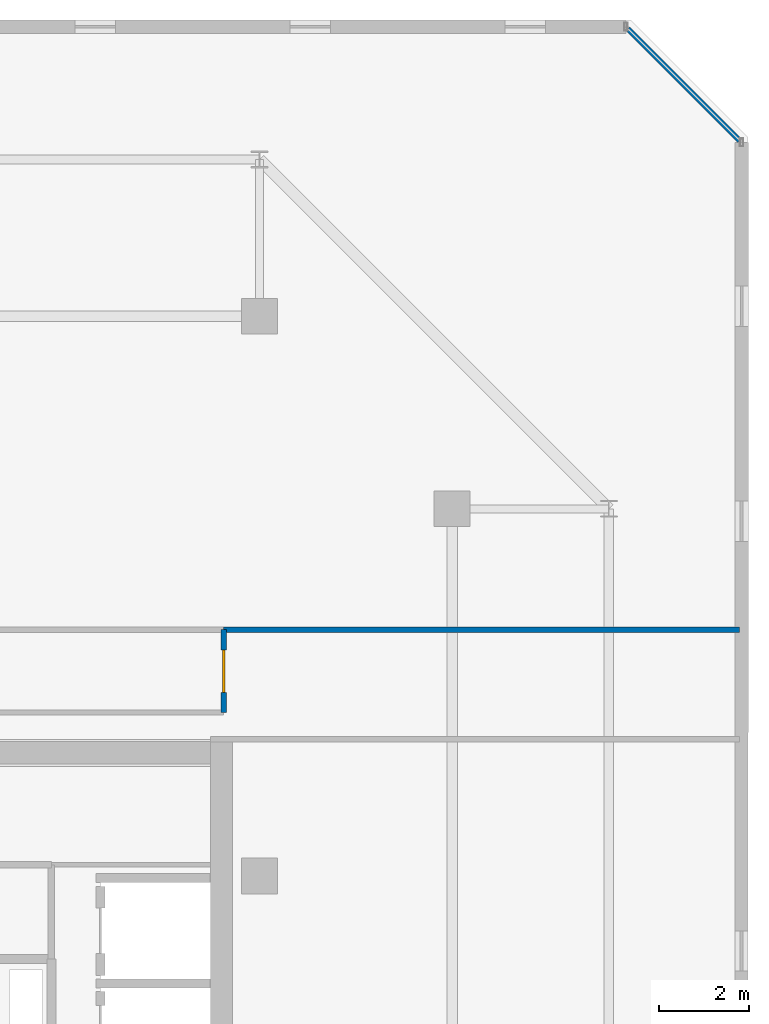
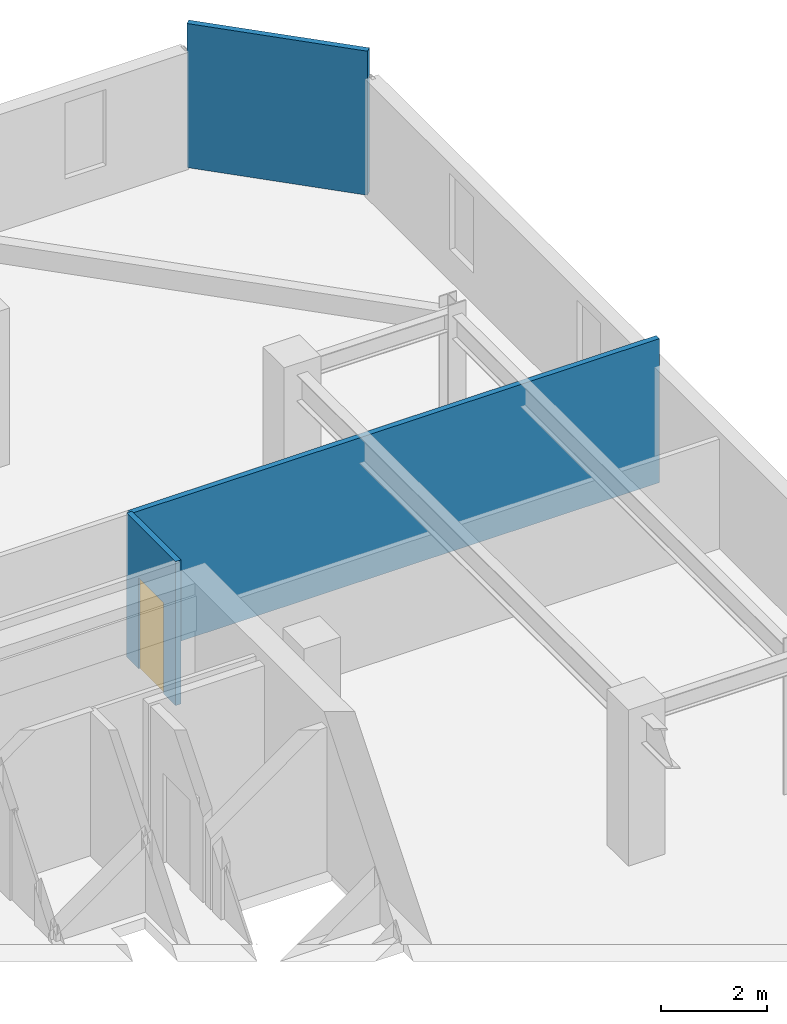
# One storey, part 25 of 31: 3 walls, 1 door, 1 opening.
"""IFC4 building model written with IfcOpenShell, lengths in metres."""

from ifc_helpers import new_model, si_unit, direction, frame, frame_2d, origin, place, context, subcontext, project, spatial, rectangle, extrude, material, layer, layer_set, type_object, element, fill, save


model = new_model("IFC4")

# Units and contexts
model_context = context("Model", 3, precision=1e-05, world=origin(), true_north=direction((0.0, 1.0)))
body_context = subcontext(model_context, "Body", "Model", "MODEL_VIEW")
ifc_project = project(units=[si_unit("LENGTHUNIT", "METRE"), si_unit("AREAUNIT", "SQUARE_METRE"), si_unit("VOLUMEUNIT", "CUBIC_METRE"), si_unit("PLANEANGLEUNIT", "RADIAN"), si_unit("MASSUNIT", "GRAM", prefix="KILO")], contexts=[model_context])

# Site, building, storey
site_placement = place(None, origin())
site = spatial("IfcSite", under=ifc_project, at=site_placement, CompositionType="ELEMENT")
building_placement = place(site_placement, origin())
building = spatial("IfcBuilding", under=site, at=building_placement, Name="Thornwick Lancets Civic Towers", CompositionType="ELEMENT")
storey_placement = place(building_placement, frame((0.0, 0.0, 254.699951171875)))
storey = spatial("IfcBuildingStorey", under=building, at=storey_placement, Name="L68", CompositionType="ELEMENT", Elevation=254.699951171875)

# Wall, opening, door
ifc_material_1 = material(Name="Acoustic gypsum board partition")
ifc_layer = layer(ifc_material_1, 0.1201171875, Name="Acoustic gypsum board partition")
ifc_layer_set = layer_set([ifc_layer], Name="Acoustic gypsum board partition")
wall_type = type_object("IfcWallType", Name="WALL_PART_120", PredefinedType="PARTITIONING", material=ifc_layer_set)
wall_1_placement = place(storey_placement, frame((100.699951171875, 35.449951171875, 0.0), z_axis=(0.0, 0.0, 1.0), x_axis=(0.0, 1.0, 0.0)))
wall_1 = element("IfcWall", 1, at=wall_1_placement, inside=storey, type_object=wall_type, Name="L68 Partition L68-B-RECLAIM-L E3", PredefinedType="PARTITIONING", context=body_context, shape_type="SweptSolid", body=[
    extrude(rectangle(XDim=1.85009765625, YDim=0.1201171875, at=frame_2d((0.925048828125, 0.0))), origin(), (0.0, 0.0, 1.0), 3.320068359375),
])
opening_placement = place(wall_1_placement, frame((0.449951171875, 0.0, 0.0)))
opening = element("IfcOpeningElement", 2, at=opening_placement, cuts=wall_1, Name="Opening D-L68-3122", PredefinedType="OPENING", context=body_context, shape_type="SweptSolid", body=[
    extrude(rectangle(XDim=0.949951171875, YDim=2.10009765625, at=frame_2d((0.47509765625, 1.050048828125))), frame((0.0, 0.070068359375, 0.0), z_axis=(0.0, -1.0, 0.0), x_axis=(1.0, 0.0, 0.0)), (0.0, 0.0, 1.0), 0.14013671875),
])
ifc_material_2 = material(Name="European oak acoustic doorset")
door_type = type_object("IfcDoorType", Name="DOOR_OFFICE_950", OperationType="NOTDEFINED", PredefinedType="DOOR", material=ifc_material_2)
door_placement = place(opening_placement, origin())
door = element("IfcDoor", 3, at=door_placement, inside=storey, type_object=door_type, Name="L68 Tower B Parliamentary Drafting Library Door", OperationType="SINGLE_SWING_LEFT", OverallHeight=2.10009765625, OverallWidth=0.949951171875, PredefinedType="DOOR", context=body_context, shape_type="SweptSolid", body=[
    extrude(rectangle(XDim=0.949951171875, YDim=2.10009765625, at=frame_2d((0.47509765625, 1.050048828125))), frame((0.0, 0.02490234375, 0.0), z_axis=(0.0, -1.0, 0.0), x_axis=(1.0, 0.0, 0.0)), (0.0, 0.0, 1.0), 0.050048828125),
])
fill(opening, door)

# Walls
wall_2_placement = place(storey_placement, frame((100.699951171875, 37.300048828125, 0.0), z_axis=(0.0, 0.0, 1.0), x_axis=(1.0, 0.0, 0.0)))
element("IfcWall", 4, at=wall_2_placement, inside=storey, type_object=wall_type, Name="L68 Partition L68-B-RECLAIM-L E4", PredefinedType="PARTITIONING", context=body_context, shape_type="SweptSolid", body=[
    extrude(rectangle(XDim=11.52001953125, YDim=0.1201171875, at=frame_2d((5.760009765625, 0.0))), origin(), (0.0, 0.0, 1.0), 3.320068359375),
])
wall_3_placement = place(storey_placement, frame((109.725341796875, 50.719970703125, 0.0), z_axis=(0.0, 0.0, 1.0), x_axis=(0.707106781187, -0.707106781187, 0.0)))
element("IfcWall", 5, at=wall_3_placement, inside=storey, type_object=wall_type, Name="L68 Partition L68-B-E1 E4", PredefinedType="PARTITIONING", context=body_context, shape_type="SweptSolid", body=[
    extrude(rectangle(XDim=3.52783203125, YDim=0.1201171875, at=frame_2d((1.763916015625, 0.0))), origin(), (0.0, 0.0, 1.0), 3.320068359375),
])

save(model, "model.ifc")
